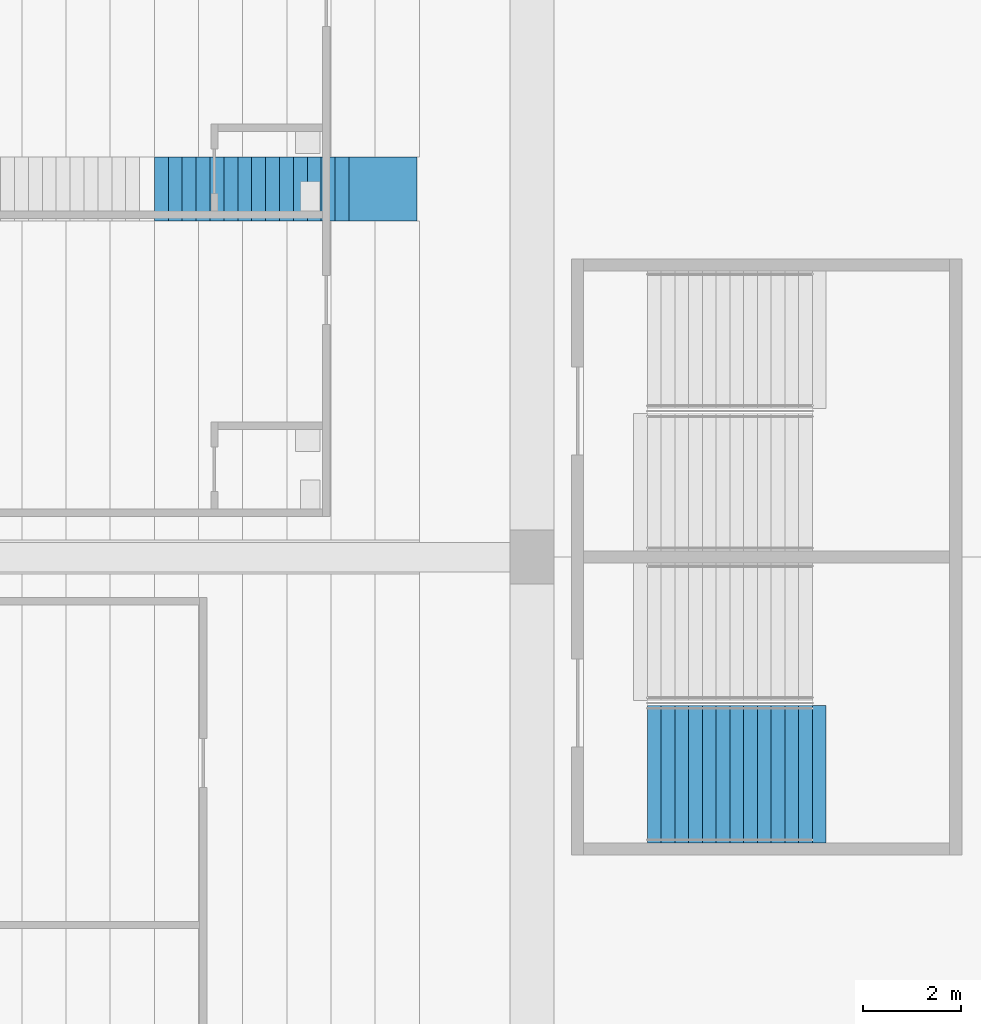
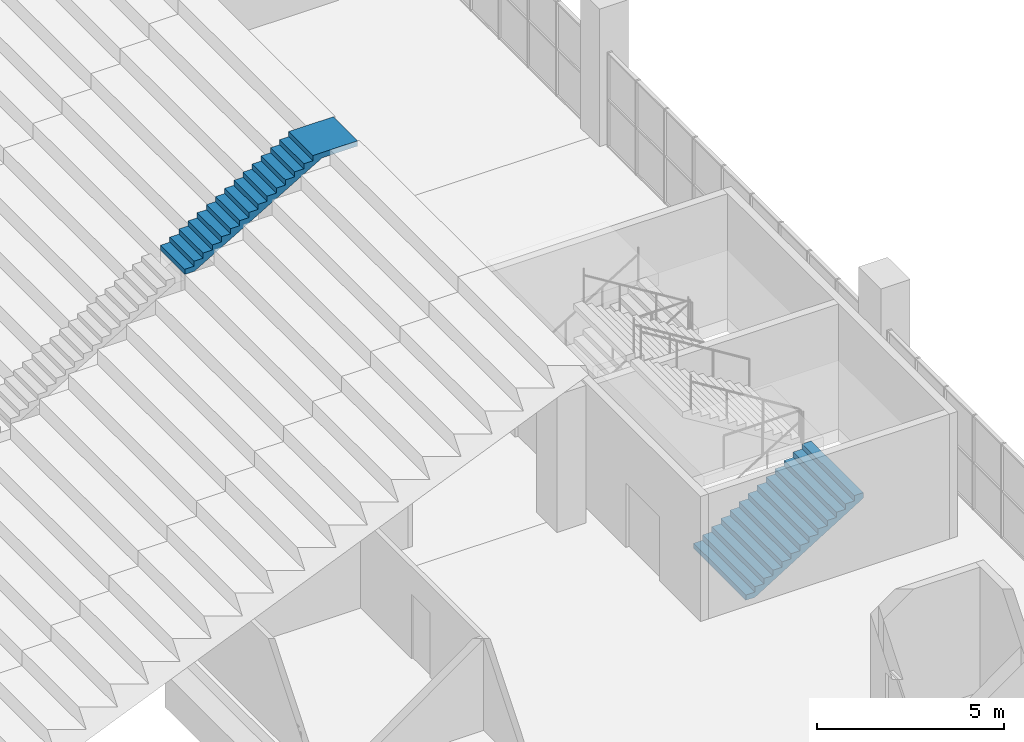
# One storey, part 185 of 249: 2 stair flights, 2 elements without a shape of their own.
"""IFC4 building model written with IfcOpenShell, lengths in metres."""

from ifc_helpers import new_model, si_unit, direction, frame, origin, place, context, subcontext, project, spatial, faceted_brep, material, type_object, element, aggregate, save


model = new_model("IFC4")

# Units and contexts
model_context = context("Model", 3, precision=1e-05, world=origin(), true_north=direction((0.0, 1.0)))
body_context = subcontext(model_context, "Body", "Model", "MODEL_VIEW")
ifc_project = project(units=[si_unit("LENGTHUNIT", "METRE"), si_unit("AREAUNIT", "SQUARE_METRE"), si_unit("VOLUMEUNIT", "CUBIC_METRE"), si_unit("PLANEANGLEUNIT", "RADIAN"), si_unit("MASSUNIT", "GRAM", prefix="KILO")], contexts=[model_context])

# Site, building, storey
site_placement = place(None, origin())
site = spatial("IfcSite", under=ifc_project, at=site_placement, CompositionType="ELEMENT")
building_placement = place(site_placement, origin())
building = spatial("IfcBuilding", under=site, at=building_placement, Name="Ogive Plaza Stadium", CompositionType="ELEMENT")
storey_placement = place(building_placement, frame((0.0, 0.0, 13.5)))
storey = spatial("IfcBuildingStorey", under=building, at=storey_placement, Name="L03", CompositionType="ELEMENT", Elevation=13.5)

# Stair, stair flight
ifc_material_1 = material(Name="Concrete C40/50", Category="concrete")
stair_type_1 = type_object("IfcStairType", Name="Aisle stair", PredefinedType="STRAIGHT_RUN_STAIR", material=ifc_material_1)
stair_1_placement = place(storey_placement, origin())
stair_1 = element("IfcStair", 1, at=stair_1_placement, inside=storey, type_object=stair_type_1, Name="Aisle stair SA03U", PredefinedType="STRAIGHT_RUN_STAIR")
ifc_material_2 = material(Name="Concrete C40/50", Category="concrete")
stair_flight_type_1 = type_object("IfcStairFlightType", Name="Aisle stair flight", PredefinedType="STRAIGHT", material=ifc_material_2)
stair_flight_1_placement = place(storey_placement, frame((66.300048828125, 15.0, 6.5), z_axis=(0.0, 0.0, 1.0), x_axis=(1.0, 0.0, 0.0)))
stair_flight_1 = element("IfcStairFlight", 2, at=stair_flight_1_placement, type_object=stair_flight_type_1, Name="SA03U flight 3", NumberOfRisers=15, NumberOfTreads=14, PredefinedType="STRAIGHT", RiserHeight=0.166666667, TreadLength=0.283333333, context=body_context, shape_type="Brep", body=[
    faceted_brep([(0.295654296875, -0.64990234375, 0.0), (4.25, -0.64990234375, 2.326171875), (5.35009765625, -0.64990234375, 2.326171875), (5.35009765625, -0.64990234375, 2.5), (3.966552734375, -0.64990234375, 2.5), (3.966552734375, -0.64990234375, 2.333251953125), (3.683349609375, -0.64990234375, 2.333251953125), (3.683349609375, -0.64990234375, 2.166748046875), (3.39990234375, -0.64990234375, 2.166748046875), (3.39990234375, -0.64990234375, 2.0), (3.11669921875, -0.64990234375, 2.0), (3.11669921875, -0.64990234375, 1.833251953125), (2.833251953125, -0.64990234375, 1.833251953125), (2.833251953125, -0.64990234375, 1.666748046875), (2.550048828125, -0.64990234375, 1.666748046875), (2.550048828125, -0.64990234375, 1.5), (2.2666015625, -0.64990234375, 1.5), (2.2666015625, -0.64990234375, 1.333251953125), (1.9833984375, -0.64990234375, 1.333251953125), (1.9833984375, -0.64990234375, 1.166748046875), (1.699951171875, -0.64990234375, 1.166748046875), (1.699951171875, -0.64990234375, 1.0), (1.416748046875, -0.64990234375, 1.0), (1.416748046875, -0.64990234375, 0.833251953125), (1.13330078125, -0.64990234375, 0.833251953125), (1.13330078125, -0.64990234375, 0.666748046875), (0.85009765625, -0.64990234375, 0.666748046875), (0.85009765625, -0.64990234375, 0.5), (0.566650390625, -0.64990234375, 0.5), (0.566650390625, -0.64990234375, 0.333251953125), (0.283447265625, -0.64990234375, 0.333251953125), (0.283447265625, -0.64990234375, 0.166748046875), (0.0, -0.64990234375, 0.166748046875), (0.0, -0.64990234375, 0.0), (0.0, 0.64990234375, 0.0), (0.0, 0.64990234375, 0.166748046875), (0.283447265625, 0.64990234375, 0.166748046875), (0.283447265625, 0.64990234375, 0.333251953125), (0.566650390625, 0.64990234375, 0.333251953125), (0.566650390625, 0.64990234375, 0.5), (0.85009765625, 0.64990234375, 0.5), (0.85009765625, 0.64990234375, 0.666748046875), (1.13330078125, 0.64990234375, 0.666748046875), (1.13330078125, 0.64990234375, 0.833251953125), (1.416748046875, 0.64990234375, 0.833251953125), (1.416748046875, 0.64990234375, 1.0), (1.699951171875, 0.64990234375, 1.0), (1.699951171875, 0.64990234375, 1.166748046875), (1.9833984375, 0.64990234375, 1.166748046875), (1.9833984375, 0.64990234375, 1.333251953125), (2.2666015625, 0.64990234375, 1.333251953125), (2.2666015625, 0.64990234375, 1.5), (2.550048828125, 0.64990234375, 1.5), (2.550048828125, 0.64990234375, 1.666748046875), (2.833251953125, 0.64990234375, 1.666748046875), (2.833251953125, 0.64990234375, 1.833251953125), (3.11669921875, 0.64990234375, 1.833251953125), (3.11669921875, 0.64990234375, 2.0), (3.39990234375, 0.64990234375, 2.0), (3.39990234375, 0.64990234375, 2.166748046875), (3.683349609375, 0.64990234375, 2.166748046875), (3.683349609375, 0.64990234375, 2.333251953125), (3.966552734375, 0.64990234375, 2.333251953125), (3.966552734375, 0.64990234375, 2.5), (5.35009765625, 0.64990234375, 2.5), (5.35009765625, 0.64990234375, 2.326171875), (4.25, 0.64990234375, 2.326171875), (0.295654296875, 0.64990234375, 0.0), (0.295654296875, -0.324951171875, 0.0), (4.25, -0.324951171875, 2.326171875), (0.295654296875, 0.0, 0.0), (4.25, 0.0, 2.326171875), (0.295654296875, 0.324951171875, 0.0), (4.25, 0.324951171875, 2.326171875), (5.35009765625, -0.324951171875, 2.326171875), (5.35009765625, 0.0, 2.326171875), (5.35009765625, 0.324951171875, 2.326171875), (5.35009765625, -0.324951171875, 2.5), (5.35009765625, 0.0, 2.5), (5.35009765625, 0.324951171875, 2.5), (3.966552734375, -0.324951171875, 2.5), (3.966552734375, 0.0, 2.5), (3.966552734375, 0.324951171875, 2.5), (3.966552734375, -0.324951171875, 2.333251953125), (3.966552734375, 0.0, 2.333251953125), (3.966552734375, 0.324951171875, 2.333251953125), (3.683349609375, -0.324951171875, 2.333251953125), (3.683349609375, 0.0, 2.333251953125), (3.683349609375, 0.324951171875, 2.333251953125), (3.683349609375, -0.324951171875, 2.166748046875), (3.683349609375, 0.0, 2.166748046875), (3.683349609375, 0.324951171875, 2.166748046875), (3.39990234375, -0.324951171875, 2.166748046875), (3.39990234375, 0.0, 2.166748046875), (3.39990234375, 0.324951171875, 2.166748046875), (3.39990234375, -0.324951171875, 2.0), (3.39990234375, 0.0, 2.0), (3.39990234375, 0.324951171875, 2.0), (3.11669921875, -0.324951171875, 2.0), (3.11669921875, 0.0, 2.0), (3.11669921875, 0.324951171875, 2.0), (3.11669921875, -0.324951171875, 1.833251953125), (3.11669921875, 0.0, 1.833251953125), (3.11669921875, 0.324951171875, 1.833251953125), (2.833251953125, -0.324951171875, 1.833251953125), (2.833251953125, 0.0, 1.833251953125), (2.833251953125, 0.324951171875, 1.833251953125), (2.833251953125, -0.324951171875, 1.666748046875), (2.833251953125, 0.0, 1.666748046875), (2.833251953125, 0.324951171875, 1.666748046875), (2.550048828125, -0.324951171875, 1.666748046875), (2.550048828125, 0.0, 1.666748046875), (2.550048828125, 0.324951171875, 1.666748046875), (2.550048828125, -0.324951171875, 1.5), (2.550048828125, 0.0, 1.5), (2.550048828125, 0.324951171875, 1.5), (2.2666015625, -0.324951171875, 1.5), (2.2666015625, 0.0, 1.5), (2.2666015625, 0.324951171875, 1.5), (2.2666015625, -0.324951171875, 1.333251953125), (2.2666015625, 0.0, 1.333251953125), (2.2666015625, 0.324951171875, 1.333251953125), (1.9833984375, -0.324951171875, 1.333251953125), (1.9833984375, 0.0, 1.333251953125), (1.9833984375, 0.324951171875, 1.333251953125), (1.9833984375, -0.324951171875, 1.166748046875), (1.9833984375, 0.0, 1.166748046875), (1.9833984375, 0.324951171875, 1.166748046875), (1.699951171875, -0.324951171875, 1.166748046875), (1.699951171875, 0.0, 1.166748046875), (1.699951171875, 0.324951171875, 1.166748046875), (1.699951171875, -0.324951171875, 1.0), (1.699951171875, 0.0, 1.0), (1.699951171875, 0.324951171875, 1.0), (1.416748046875, -0.324951171875, 1.0), (1.416748046875, 0.0, 1.0), (1.416748046875, 0.324951171875, 1.0), (1.416748046875, -0.324951171875, 0.833251953125), (1.416748046875, 0.0, 0.833251953125), (1.416748046875, 0.324951171875, 0.833251953125), (1.13330078125, -0.324951171875, 0.833251953125), (1.13330078125, 0.0, 0.833251953125), (1.13330078125, 0.324951171875, 0.833251953125), (1.13330078125, -0.324951171875, 0.666748046875), (1.13330078125, 0.0, 0.666748046875), (1.13330078125, 0.324951171875, 0.666748046875), (0.85009765625, -0.324951171875, 0.666748046875), (0.85009765625, 0.0, 0.666748046875), (0.85009765625, 0.324951171875, 0.666748046875), (0.85009765625, -0.324951171875, 0.5), (0.85009765625, 0.0, 0.5), (0.85009765625, 0.324951171875, 0.5), (0.566650390625, -0.324951171875, 0.5), (0.566650390625, 0.0, 0.5), (0.566650390625, 0.324951171875, 0.5), (0.566650390625, -0.324951171875, 0.333251953125), (0.566650390625, 0.0, 0.333251953125), (0.566650390625, 0.324951171875, 0.333251953125), (0.283447265625, -0.324951171875, 0.333251953125), (0.283447265625, 0.0, 0.333251953125), (0.283447265625, 0.324951171875, 0.333251953125), (0.283447265625, -0.324951171875, 0.166748046875), (0.283447265625, 0.0, 0.166748046875), (0.283447265625, 0.324951171875, 0.166748046875), (0.0, -0.324951171875, 0.166748046875), (0.0, 0.0, 0.166748046875), (0.0, 0.324951171875, 0.166748046875), (0.0, -0.324951171875, 0.0), (0.0, 0.0, 0.0), (0.0, 0.324951171875, 0.0)], [[[0, 1, 2, 3, 4, 5, 6, 7, 8, 9, 10, 11, 12, 13, 14, 15, 16, 17, 18, 19, 20, 21, 22, 23, 24, 25, 26, 27, 28, 29, 30, 31, 32, 33]], [[34, 35, 36, 37, 38, 39, 40, 41, 42, 43, 44, 45, 46, 47, 48, 49, 50, 51, 52, 53, 54, 55, 56, 57, 58, 59, 60, 61, 62, 63, 64, 65, 66, 67]], [[0, 68, 69, 1]], [[68, 70, 71, 69]], [[70, 72, 73, 71]], [[72, 67, 66, 73]], [[1, 69, 74, 2]], [[69, 71, 75, 74]], [[71, 73, 76, 75]], [[73, 66, 65, 76]], [[2, 74, 77, 3]], [[74, 75, 78, 77]], [[75, 76, 79, 78]], [[76, 65, 64, 79]], [[3, 77, 80, 4]], [[77, 78, 81, 80]], [[78, 79, 82, 81]], [[79, 64, 63, 82]], [[4, 80, 83, 5]], [[80, 81, 84, 83]], [[81, 82, 85, 84]], [[82, 63, 62, 85]], [[5, 83, 86, 6]], [[83, 84, 87, 86]], [[84, 85, 88, 87]], [[85, 62, 61, 88]], [[6, 86, 89, 7]], [[86, 87, 90, 89]], [[87, 88, 91, 90]], [[88, 61, 60, 91]], [[7, 89, 92, 8]], [[89, 90, 93, 92]], [[90, 91, 94, 93]], [[91, 60, 59, 94]], [[8, 92, 95, 9]], [[92, 93, 96, 95]], [[93, 94, 97, 96]], [[94, 59, 58, 97]], [[9, 95, 98, 10]], [[95, 96, 99, 98]], [[96, 97, 100, 99]], [[97, 58, 57, 100]], [[10, 98, 101, 11]], [[98, 99, 102, 101]], [[99, 100, 103, 102]], [[100, 57, 56, 103]], [[11, 101, 104, 12]], [[101, 102, 105, 104]], [[102, 103, 106, 105]], [[103, 56, 55, 106]], [[12, 104, 107, 13]], [[104, 105, 108, 107]], [[105, 106, 109, 108]], [[106, 55, 54, 109]], [[13, 107, 110, 14]], [[107, 108, 111, 110]], [[108, 109, 112, 111]], [[109, 54, 53, 112]], [[14, 110, 113, 15]], [[110, 111, 114, 113]], [[111, 112, 115, 114]], [[112, 53, 52, 115]], [[15, 113, 116, 16]], [[113, 114, 117, 116]], [[114, 115, 118, 117]], [[115, 52, 51, 118]], [[16, 116, 119, 17]], [[116, 117, 120, 119]], [[117, 118, 121, 120]], [[118, 51, 50, 121]], [[17, 119, 122, 18]], [[119, 120, 123, 122]], [[120, 121, 124, 123]], [[121, 50, 49, 124]], [[18, 122, 125, 19]], [[122, 123, 126, 125]], [[123, 124, 127, 126]], [[124, 49, 48, 127]], [[19, 125, 128, 20]], [[125, 126, 129, 128]], [[126, 127, 130, 129]], [[127, 48, 47, 130]], [[20, 128, 131, 21]], [[128, 129, 132, 131]], [[129, 130, 133, 132]], [[130, 47, 46, 133]], [[21, 131, 134, 22]], [[131, 132, 135, 134]], [[132, 133, 136, 135]], [[133, 46, 45, 136]], [[22, 134, 137, 23]], [[134, 135, 138, 137]], [[135, 136, 139, 138]], [[136, 45, 44, 139]], [[23, 137, 140, 24]], [[137, 138, 141, 140]], [[138, 139, 142, 141]], [[139, 44, 43, 142]], [[24, 140, 143, 25]], [[140, 141, 144, 143]], [[141, 142, 145, 144]], [[142, 43, 42, 145]], [[25, 143, 146, 26]], [[143, 144, 147, 146]], [[144, 145, 148, 147]], [[145, 42, 41, 148]], [[26, 146, 149, 27]], [[146, 147, 150, 149]], [[147, 148, 151, 150]], [[148, 41, 40, 151]], [[27, 149, 152, 28]], [[149, 150, 153, 152]], [[150, 151, 154, 153]], [[151, 40, 39, 154]], [[28, 152, 155, 29]], [[152, 153, 156, 155]], [[153, 154, 157, 156]], [[154, 39, 38, 157]], [[29, 155, 158, 30]], [[155, 156, 159, 158]], [[156, 157, 160, 159]], [[157, 38, 37, 160]], [[30, 158, 161, 31]], [[158, 159, 162, 161]], [[159, 160, 163, 162]], [[160, 37, 36, 163]], [[31, 161, 164, 32]], [[161, 162, 165, 164]], [[162, 163, 166, 165]], [[163, 36, 35, 166]], [[32, 164, 167, 33]], [[164, 165, 168, 167]], [[165, 166, 169, 168]], [[166, 35, 34, 169]], [[33, 167, 68, 0]], [[167, 168, 70, 68]], [[168, 169, 72, 70]], [[169, 34, 67, 72]]]),
])
aggregate(stair_1, [stair_flight_1])

ifc_material_3 = material(Name="Concrete C40/50", Category="concrete")
stair_type_2 = type_object("IfcStairType", Name="Exit stair", PredefinedType="STRAIGHT_RUN_STAIR", material=ifc_material_3)
stair_2_placement = place(storey_placement, origin())
stair_2 = element("IfcStair", 3, at=stair_2_placement, inside=storey, type_object=stair_type_2, Name="Exit stair ST04A L03 to L04", PredefinedType="STRAIGHT_RUN_STAIR")
ifc_material_4 = material(Name="Concrete C40/50", Category="concrete")
stair_flight_type_2 = type_object("IfcStairFlightType", Name="Exit stair flight", PredefinedType="STRAIGHT", material=ifc_material_4)
stair_flight_2_placement = place(storey_placement, frame((76.35009765625, 3.074951171875, 0.0), z_axis=(0.0, 0.0, 1.0), x_axis=(1.0, 0.0, 0.0)))
stair_flight_2 = element("IfcStairFlight", 4, at=stair_flight_2_placement, type_object=stair_flight_type_2, Name="ST04A flight 1", NumberOfRisers=13, NumberOfTreads=12, PredefinedType="STRAIGHT", RiserHeight=0.173076923, TreadLength=0.28, context=body_context, shape_type="Brep", body=[
    faceted_brep([(0.28515625, -1.39990234375, 0.0), (3.639892578125, -1.39990234375, 2.07373046875), (3.639892578125, -1.39990234375, 2.25), (3.360107421875, -1.39990234375, 2.25), (3.360107421875, -1.39990234375, 2.076904296875), (3.080078125, -1.39990234375, 2.076904296875), (3.080078125, -1.39990234375, 1.90380859375), (2.800048828125, -1.39990234375, 1.90380859375), (2.800048828125, -1.39990234375, 1.730712890625), (2.52001953125, -1.39990234375, 1.730712890625), (2.52001953125, -1.39990234375, 1.5576171875), (2.239990234375, -1.39990234375, 1.5576171875), (2.239990234375, -1.39990234375, 1.384521484375), (1.9599609375, -1.39990234375, 1.384521484375), (1.9599609375, -1.39990234375, 1.21142578125), (1.679931640625, -1.39990234375, 1.21142578125), (1.679931640625, -1.39990234375, 1.03857421875), (1.39990234375, -1.39990234375, 1.03857421875), (1.39990234375, -1.39990234375, 0.865478515625), (1.1201171875, -1.39990234375, 0.865478515625), (1.1201171875, -1.39990234375, 0.6923828125), (0.840087890625, -1.39990234375, 0.6923828125), (0.840087890625, -1.39990234375, 0.519287109375), (0.56005859375, -1.39990234375, 0.519287109375), (0.56005859375, -1.39990234375, 0.34619140625), (0.280029296875, -1.39990234375, 0.34619140625), (0.280029296875, -1.39990234375, 0.173095703125), (0.0, -1.39990234375, 0.173095703125), (0.0, -1.39990234375, 0.0), (0.0, 1.39990234375, 0.0), (0.0, 1.39990234375, 0.173095703125), (0.280029296875, 1.39990234375, 0.173095703125), (0.280029296875, 1.39990234375, 0.34619140625), (0.56005859375, 1.39990234375, 0.34619140625), (0.56005859375, 1.39990234375, 0.519287109375), (0.840087890625, 1.39990234375, 0.519287109375), (0.840087890625, 1.39990234375, 0.6923828125), (1.1201171875, 1.39990234375, 0.6923828125), (1.1201171875, 1.39990234375, 0.865478515625), (1.39990234375, 1.39990234375, 0.865478515625), (1.39990234375, 1.39990234375, 1.03857421875), (1.679931640625, 1.39990234375, 1.03857421875), (1.679931640625, 1.39990234375, 1.21142578125), (1.9599609375, 1.39990234375, 1.21142578125), (1.9599609375, 1.39990234375, 1.384521484375), (2.239990234375, 1.39990234375, 1.384521484375), (2.239990234375, 1.39990234375, 1.5576171875), (2.52001953125, 1.39990234375, 1.5576171875), (2.52001953125, 1.39990234375, 1.730712890625), (2.800048828125, 1.39990234375, 1.730712890625), (2.800048828125, 1.39990234375, 1.90380859375), (3.080078125, 1.39990234375, 1.90380859375), (3.080078125, 1.39990234375, 2.076904296875), (3.360107421875, 1.39990234375, 2.076904296875), (3.360107421875, 1.39990234375, 2.25), (3.639892578125, 1.39990234375, 2.25), (3.639892578125, 1.39990234375, 2.07373046875), (0.28515625, 1.39990234375, 0.0), (0.28515625, -1.0888671875, 0.0), (3.639892578125, -1.0888671875, 2.07373046875), (0.28515625, -0.77783203125, 0.0), (3.639892578125, -0.77783203125, 2.07373046875), (0.28515625, -0.466796875, 0.0), (3.639892578125, -0.466796875, 2.07373046875), (0.28515625, -0.155517578125, 0.0), (3.639892578125, -0.155517578125, 2.07373046875), (0.28515625, 0.155517578125, 0.0), (3.639892578125, 0.155517578125, 2.07373046875), (0.28515625, 0.466796875, 0.0), (3.639892578125, 0.466796875, 2.07373046875), (0.28515625, 0.77783203125, 0.0), (3.639892578125, 0.77783203125, 2.07373046875), (0.28515625, 1.0888671875, 0.0), (3.639892578125, 1.0888671875, 2.07373046875), (3.639892578125, -1.0888671875, 2.25), (3.639892578125, -0.77783203125, 2.25), (3.639892578125, -0.466796875, 2.25), (3.639892578125, -0.155517578125, 2.25), (3.639892578125, 0.155517578125, 2.25), (3.639892578125, 0.466796875, 2.25), (3.639892578125, 0.77783203125, 2.25), (3.639892578125, 1.0888671875, 2.25), (3.360107421875, -1.0888671875, 2.25), (3.360107421875, -0.77783203125, 2.25), (3.360107421875, -0.466796875, 2.25), (3.360107421875, -0.155517578125, 2.25), (3.360107421875, 0.155517578125, 2.25), (3.360107421875, 0.466796875, 2.25), (3.360107421875, 0.77783203125, 2.25), (3.360107421875, 1.0888671875, 2.25), (3.360107421875, -1.0888671875, 2.076904296875), (3.360107421875, -0.77783203125, 2.076904296875), (3.360107421875, -0.466796875, 2.076904296875), (3.360107421875, -0.155517578125, 2.076904296875), (3.360107421875, 0.155517578125, 2.076904296875), (3.360107421875, 0.466796875, 2.076904296875), (3.360107421875, 0.77783203125, 2.076904296875), (3.360107421875, 1.0888671875, 2.076904296875), (3.080078125, -1.0888671875, 2.076904296875), (3.080078125, -0.77783203125, 2.076904296875), (3.080078125, -0.466796875, 2.076904296875), (3.080078125, -0.155517578125, 2.076904296875), (3.080078125, 0.155517578125, 2.076904296875), (3.080078125, 0.466796875, 2.076904296875), (3.080078125, 0.77783203125, 2.076904296875), (3.080078125, 1.0888671875, 2.076904296875), (3.080078125, -1.0888671875, 1.90380859375), (3.080078125, -0.77783203125, 1.90380859375), (3.080078125, -0.466796875, 1.90380859375), (3.080078125, -0.155517578125, 1.90380859375), (3.080078125, 0.155517578125, 1.90380859375), (3.080078125, 0.466796875, 1.90380859375), (3.080078125, 0.77783203125, 1.90380859375), (3.080078125, 1.0888671875, 1.90380859375), (2.800048828125, -1.0888671875, 1.90380859375), (2.800048828125, -0.77783203125, 1.90380859375), (2.800048828125, -0.466796875, 1.90380859375), (2.800048828125, -0.155517578125, 1.90380859375), (2.800048828125, 0.155517578125, 1.90380859375), (2.800048828125, 0.466796875, 1.90380859375), (2.800048828125, 0.77783203125, 1.90380859375), (2.800048828125, 1.0888671875, 1.90380859375), (2.800048828125, -1.0888671875, 1.730712890625), (2.800048828125, -0.77783203125, 1.730712890625), (2.800048828125, -0.466796875, 1.730712890625), (2.800048828125, -0.155517578125, 1.730712890625), (2.800048828125, 0.155517578125, 1.730712890625), (2.800048828125, 0.466796875, 1.730712890625), (2.800048828125, 0.77783203125, 1.730712890625), (2.800048828125, 1.0888671875, 1.730712890625), (2.52001953125, -1.0888671875, 1.730712890625), (2.52001953125, -0.77783203125, 1.730712890625), (2.52001953125, -0.466796875, 1.730712890625), (2.52001953125, -0.155517578125, 1.730712890625), (2.52001953125, 0.155517578125, 1.730712890625), (2.52001953125, 0.466796875, 1.730712890625), (2.52001953125, 0.77783203125, 1.730712890625), (2.52001953125, 1.0888671875, 1.730712890625), (2.52001953125, -1.0888671875, 1.5576171875), (2.52001953125, -0.77783203125, 1.5576171875), (2.52001953125, -0.466796875, 1.5576171875), (2.52001953125, -0.155517578125, 1.5576171875), (2.52001953125, 0.155517578125, 1.5576171875), (2.52001953125, 0.466796875, 1.5576171875), (2.52001953125, 0.77783203125, 1.5576171875), (2.52001953125, 1.0888671875, 1.5576171875), (2.239990234375, -1.0888671875, 1.5576171875), (2.239990234375, -0.77783203125, 1.5576171875), (2.239990234375, -0.466796875, 1.5576171875), (2.239990234375, -0.155517578125, 1.5576171875), (2.239990234375, 0.155517578125, 1.5576171875), (2.239990234375, 0.466796875, 1.5576171875), (2.239990234375, 0.77783203125, 1.5576171875), (2.239990234375, 1.0888671875, 1.5576171875), (2.239990234375, -1.0888671875, 1.384521484375), (2.239990234375, -0.77783203125, 1.384521484375), (2.239990234375, -0.466796875, 1.384521484375), (2.239990234375, -0.155517578125, 1.384521484375), (2.239990234375, 0.155517578125, 1.384521484375), (2.239990234375, 0.466796875, 1.384521484375), (2.239990234375, 0.77783203125, 1.384521484375), (2.239990234375, 1.0888671875, 1.384521484375), (1.9599609375, -1.0888671875, 1.384521484375), (1.9599609375, -0.77783203125, 1.384521484375), (1.9599609375, -0.466796875, 1.384521484375), (1.9599609375, -0.155517578125, 1.384521484375), (1.9599609375, 0.155517578125, 1.384521484375), (1.9599609375, 0.466796875, 1.384521484375), (1.9599609375, 0.77783203125, 1.384521484375), (1.9599609375, 1.0888671875, 1.384521484375), (1.9599609375, -1.0888671875, 1.21142578125), (1.9599609375, -0.77783203125, 1.21142578125), (1.9599609375, -0.466796875, 1.21142578125), (1.9599609375, -0.155517578125, 1.21142578125), (1.9599609375, 0.155517578125, 1.21142578125), (1.9599609375, 0.466796875, 1.21142578125), (1.9599609375, 0.77783203125, 1.21142578125), (1.9599609375, 1.0888671875, 1.21142578125), (1.679931640625, -1.0888671875, 1.21142578125), (1.679931640625, -0.77783203125, 1.21142578125), (1.679931640625, -0.466796875, 1.21142578125), (1.679931640625, -0.155517578125, 1.21142578125), (1.679931640625, 0.155517578125, 1.21142578125), (1.679931640625, 0.466796875, 1.21142578125), (1.679931640625, 0.77783203125, 1.21142578125), (1.679931640625, 1.0888671875, 1.21142578125), (1.679931640625, -1.0888671875, 1.03857421875), (1.679931640625, -0.77783203125, 1.03857421875), (1.679931640625, -0.466796875, 1.03857421875), (1.679931640625, -0.155517578125, 1.03857421875), (1.679931640625, 0.155517578125, 1.03857421875), (1.679931640625, 0.466796875, 1.03857421875), (1.679931640625, 0.77783203125, 1.03857421875), (1.679931640625, 1.0888671875, 1.03857421875), (1.39990234375, -1.0888671875, 1.03857421875), (1.39990234375, -0.77783203125, 1.03857421875), (1.39990234375, -0.466796875, 1.03857421875), (1.39990234375, -0.155517578125, 1.03857421875), (1.39990234375, 0.155517578125, 1.03857421875), (1.39990234375, 0.466796875, 1.03857421875), (1.39990234375, 0.77783203125, 1.03857421875), (1.39990234375, 1.0888671875, 1.03857421875), (1.39990234375, -1.0888671875, 0.865478515625), (1.39990234375, -0.77783203125, 0.865478515625), (1.39990234375, -0.466796875, 0.865478515625), (1.39990234375, -0.155517578125, 0.865478515625), (1.39990234375, 0.155517578125, 0.865478515625), (1.39990234375, 0.466796875, 0.865478515625), (1.39990234375, 0.77783203125, 0.865478515625), (1.39990234375, 1.0888671875, 0.865478515625), (1.1201171875, -1.0888671875, 0.865478515625), (1.1201171875, -0.77783203125, 0.865478515625), (1.1201171875, -0.466796875, 0.865478515625), (1.1201171875, -0.155517578125, 0.865478515625), (1.1201171875, 0.155517578125, 0.865478515625), (1.1201171875, 0.466796875, 0.865478515625), (1.1201171875, 0.77783203125, 0.865478515625), (1.1201171875, 1.0888671875, 0.865478515625), (1.1201171875, -1.0888671875, 0.6923828125), (1.1201171875, -0.77783203125, 0.6923828125), (1.1201171875, -0.466796875, 0.6923828125), (1.1201171875, -0.155517578125, 0.6923828125), (1.1201171875, 0.155517578125, 0.6923828125), (1.1201171875, 0.466796875, 0.6923828125), (1.1201171875, 0.77783203125, 0.6923828125), (1.1201171875, 1.0888671875, 0.6923828125), (0.840087890625, -1.0888671875, 0.6923828125), (0.840087890625, -0.77783203125, 0.6923828125), (0.840087890625, -0.466796875, 0.6923828125), (0.840087890625, -0.155517578125, 0.6923828125), (0.840087890625, 0.155517578125, 0.6923828125), (0.840087890625, 0.466796875, 0.6923828125), (0.840087890625, 0.77783203125, 0.6923828125), (0.840087890625, 1.0888671875, 0.6923828125), (0.840087890625, -1.0888671875, 0.519287109375), (0.840087890625, -0.77783203125, 0.519287109375), (0.840087890625, -0.466796875, 0.519287109375), (0.840087890625, -0.155517578125, 0.519287109375), (0.840087890625, 0.155517578125, 0.519287109375), (0.840087890625, 0.466796875, 0.519287109375), (0.840087890625, 0.77783203125, 0.519287109375), (0.840087890625, 1.0888671875, 0.519287109375), (0.56005859375, -1.0888671875, 0.519287109375), (0.56005859375, -0.77783203125, 0.519287109375), (0.56005859375, -0.466796875, 0.519287109375), (0.56005859375, -0.155517578125, 0.519287109375), (0.56005859375, 0.155517578125, 0.519287109375), (0.56005859375, 0.466796875, 0.519287109375), (0.56005859375, 0.77783203125, 0.519287109375), (0.56005859375, 1.0888671875, 0.519287109375), (0.56005859375, -1.0888671875, 0.34619140625), (0.56005859375, -0.77783203125, 0.34619140625), (0.56005859375, -0.466796875, 0.34619140625), (0.56005859375, -0.155517578125, 0.34619140625), (0.56005859375, 0.155517578125, 0.34619140625), (0.56005859375, 0.466796875, 0.34619140625), (0.56005859375, 0.77783203125, 0.34619140625), (0.56005859375, 1.0888671875, 0.34619140625), (0.280029296875, -1.0888671875, 0.34619140625), (0.280029296875, -0.77783203125, 0.34619140625), (0.280029296875, -0.466796875, 0.34619140625), (0.280029296875, -0.155517578125, 0.34619140625), (0.280029296875, 0.155517578125, 0.34619140625), (0.280029296875, 0.466796875, 0.34619140625), (0.280029296875, 0.77783203125, 0.34619140625), (0.280029296875, 1.0888671875, 0.34619140625), (0.280029296875, -1.0888671875, 0.173095703125), (0.280029296875, -0.77783203125, 0.173095703125), (0.280029296875, -0.466796875, 0.173095703125), (0.280029296875, -0.155517578125, 0.173095703125), (0.280029296875, 0.155517578125, 0.173095703125), (0.280029296875, 0.466796875, 0.173095703125), (0.280029296875, 0.77783203125, 0.173095703125), (0.280029296875, 1.0888671875, 0.173095703125), (0.0, -1.0888671875, 0.173095703125), (0.0, -0.77783203125, 0.173095703125), (0.0, -0.466796875, 0.173095703125), (0.0, -0.155517578125, 0.173095703125), (0.0, 0.155517578125, 0.173095703125), (0.0, 0.466796875, 0.173095703125), (0.0, 0.77783203125, 0.173095703125), (0.0, 1.0888671875, 0.173095703125), (0.0, -1.0888671875, 0.0), (0.0, -0.77783203125, 0.0), (0.0, -0.466796875, 0.0), (0.0, -0.155517578125, 0.0), (0.0, 0.155517578125, 0.0), (0.0, 0.466796875, 0.0), (0.0, 0.77783203125, 0.0), (0.0, 1.0888671875, 0.0)], [[[0, 1, 2, 3, 4, 5, 6, 7, 8, 9, 10, 11, 12, 13, 14, 15, 16, 17, 18, 19, 20, 21, 22, 23, 24, 25, 26, 27, 28]], [[29, 30, 31, 32, 33, 34, 35, 36, 37, 38, 39, 40, 41, 42, 43, 44, 45, 46, 47, 48, 49, 50, 51, 52, 53, 54, 55, 56, 57]], [[0, 58, 59, 1]], [[58, 60, 61, 59]], [[60, 62, 63, 61]], [[62, 64, 65, 63]], [[64, 66, 67, 65]], [[66, 68, 69, 67]], [[68, 70, 71, 69]], [[70, 72, 73, 71]], [[72, 57, 56, 73]], [[1, 59, 74, 2]], [[59, 61, 75, 74]], [[61, 63, 76, 75]], [[63, 65, 77, 76]], [[65, 67, 78, 77]], [[67, 69, 79, 78]], [[69, 71, 80, 79]], [[71, 73, 81, 80]], [[73, 56, 55, 81]], [[2, 74, 82, 3]], [[74, 75, 83, 82]], [[75, 76, 84, 83]], [[76, 77, 85, 84]], [[77, 78, 86, 85]], [[78, 79, 87, 86]], [[79, 80, 88, 87]], [[80, 81, 89, 88]], [[81, 55, 54, 89]], [[3, 82, 90, 4]], [[82, 83, 91, 90]], [[83, 84, 92, 91]], [[84, 85, 93, 92]], [[85, 86, 94, 93]], [[86, 87, 95, 94]], [[87, 88, 96, 95]], [[88, 89, 97, 96]], [[89, 54, 53, 97]], [[4, 90, 98, 5]], [[90, 91, 99, 98]], [[91, 92, 100, 99]], [[92, 93, 101, 100]], [[93, 94, 102, 101]], [[94, 95, 103, 102]], [[95, 96, 104, 103]], [[96, 97, 105, 104]], [[97, 53, 52, 105]], [[5, 98, 106, 6]], [[98, 99, 107, 106]], [[99, 100, 108, 107]], [[100, 101, 109, 108]], [[101, 102, 110, 109]], [[102, 103, 111, 110]], [[103, 104, 112, 111]], [[104, 105, 113, 112]], [[105, 52, 51, 113]], [[6, 106, 114, 7]], [[106, 107, 115, 114]], [[107, 108, 116, 115]], [[108, 109, 117, 116]], [[109, 110, 118, 117]], [[110, 111, 119, 118]], [[111, 112, 120, 119]], [[112, 113, 121, 120]], [[113, 51, 50, 121]], [[7, 114, 122, 8]], [[114, 115, 123, 122]], [[115, 116, 124, 123]], [[116, 117, 125, 124]], [[117, 118, 126, 125]], [[118, 119, 127, 126]], [[119, 120, 128, 127]], [[120, 121, 129, 128]], [[121, 50, 49, 129]], [[8, 122, 130, 9]], [[122, 123, 131, 130]], [[123, 124, 132, 131]], [[124, 125, 133, 132]], [[125, 126, 134, 133]], [[126, 127, 135, 134]], [[127, 128, 136, 135]], [[128, 129, 137, 136]], [[129, 49, 48, 137]], [[9, 130, 138, 10]], [[130, 131, 139, 138]], [[131, 132, 140, 139]], [[132, 133, 141, 140]], [[133, 134, 142, 141]], [[134, 135, 143, 142]], [[135, 136, 144, 143]], [[136, 137, 145, 144]], [[137, 48, 47, 145]], [[10, 138, 146, 11]], [[138, 139, 147, 146]], [[139, 140, 148, 147]], [[140, 141, 149, 148]], [[141, 142, 150, 149]], [[142, 143, 151, 150]], [[143, 144, 152, 151]], [[144, 145, 153, 152]], [[145, 47, 46, 153]], [[11, 146, 154, 12]], [[146, 147, 155, 154]], [[147, 148, 156, 155]], [[148, 149, 157, 156]], [[149, 150, 158, 157]], [[150, 151, 159, 158]], [[151, 152, 160, 159]], [[152, 153, 161, 160]], [[153, 46, 45, 161]], [[12, 154, 162, 13]], [[154, 155, 163, 162]], [[155, 156, 164, 163]], [[156, 157, 165, 164]], [[157, 158, 166, 165]], [[158, 159, 167, 166]], [[159, 160, 168, 167]], [[160, 161, 169, 168]], [[161, 45, 44, 169]], [[13, 162, 170, 14]], [[162, 163, 171, 170]], [[163, 164, 172, 171]], [[164, 165, 173, 172]], [[165, 166, 174, 173]], [[166, 167, 175, 174]], [[167, 168, 176, 175]], [[168, 169, 177, 176]], [[169, 44, 43, 177]], [[14, 170, 178, 15]], [[170, 171, 179, 178]], [[171, 172, 180, 179]], [[172, 173, 181, 180]], [[173, 174, 182, 181]], [[174, 175, 183, 182]], [[175, 176, 184, 183]], [[176, 177, 185, 184]], [[177, 43, 42, 185]], [[15, 178, 186, 16]], [[178, 179, 187, 186]], [[179, 180, 188, 187]], [[180, 181, 189, 188]], [[181, 182, 190, 189]], [[182, 183, 191, 190]], [[183, 184, 192, 191]], [[184, 185, 193, 192]], [[185, 42, 41, 193]], [[16, 186, 194, 17]], [[186, 187, 195, 194]], [[187, 188, 196, 195]], [[188, 189, 197, 196]], [[189, 190, 198, 197]], [[190, 191, 199, 198]], [[191, 192, 200, 199]], [[192, 193, 201, 200]], [[193, 41, 40, 201]], [[17, 194, 202, 18]], [[194, 195, 203, 202]], [[195, 196, 204, 203]], [[196, 197, 205, 204]], [[197, 198, 206, 205]], [[198, 199, 207, 206]], [[199, 200, 208, 207]], [[200, 201, 209, 208]], [[201, 40, 39, 209]], [[18, 202, 210, 19]], [[202, 203, 211, 210]], [[203, 204, 212, 211]], [[204, 205, 213, 212]], [[205, 206, 214, 213]], [[206, 207, 215, 214]], [[207, 208, 216, 215]], [[208, 209, 217, 216]], [[209, 39, 38, 217]], [[19, 210, 218, 20]], [[210, 211, 219, 218]], [[211, 212, 220, 219]], [[212, 213, 221, 220]], [[213, 214, 222, 221]], [[214, 215, 223, 222]], [[215, 216, 224, 223]], [[216, 217, 225, 224]], [[217, 38, 37, 225]], [[20, 218, 226, 21]], [[218, 219, 227, 226]], [[219, 220, 228, 227]], [[220, 221, 229, 228]], [[221, 222, 230, 229]], [[222, 223, 231, 230]], [[223, 224, 232, 231]], [[224, 225, 233, 232]], [[225, 37, 36, 233]], [[21, 226, 234, 22]], [[226, 227, 235, 234]], [[227, 228, 236, 235]], [[228, 229, 237, 236]], [[229, 230, 238, 237]], [[230, 231, 239, 238]], [[231, 232, 240, 239]], [[232, 233, 241, 240]], [[233, 36, 35, 241]], [[22, 234, 242, 23]], [[234, 235, 243, 242]], [[235, 236, 244, 243]], [[236, 237, 245, 244]], [[237, 238, 246, 245]], [[238, 239, 247, 246]], [[239, 240, 248, 247]], [[240, 241, 249, 248]], [[241, 35, 34, 249]], [[23, 242, 250, 24]], [[242, 243, 251, 250]], [[243, 244, 252, 251]], [[244, 245, 253, 252]], [[245, 246, 254, 253]], [[246, 247, 255, 254]], [[247, 248, 256, 255]], [[248, 249, 257, 256]], [[249, 34, 33, 257]], [[24, 250, 258, 25]], [[250, 251, 259, 258]], [[251, 252, 260, 259]], [[252, 253, 261, 260]], [[253, 254, 262, 261]], [[254, 255, 263, 262]], [[255, 256, 264, 263]], [[256, 257, 265, 264]], [[257, 33, 32, 265]], [[25, 258, 266, 26]], [[258, 259, 267, 266]], [[259, 260, 268, 267]], [[260, 261, 269, 268]], [[261, 262, 270, 269]], [[262, 263, 271, 270]], [[263, 264, 272, 271]], [[264, 265, 273, 272]], [[265, 32, 31, 273]], [[26, 266, 274, 27]], [[266, 267, 275, 274]], [[267, 268, 276, 275]], [[268, 269, 277, 276]], [[269, 270, 278, 277]], [[270, 271, 279, 278]], [[271, 272, 280, 279]], [[272, 273, 281, 280]], [[273, 31, 30, 281]], [[27, 274, 282, 28]], [[274, 275, 283, 282]], [[275, 276, 284, 283]], [[276, 277, 285, 284]], [[277, 278, 286, 285]], [[278, 279, 287, 286]], [[279, 280, 288, 287]], [[280, 281, 289, 288]], [[281, 30, 29, 289]], [[28, 282, 58, 0]], [[282, 283, 60, 58]], [[283, 284, 62, 60]], [[284, 285, 64, 62]], [[285, 286, 66, 64]], [[286, 287, 68, 66]], [[287, 288, 70, 68]], [[288, 289, 72, 70]], [[289, 29, 57, 72]]]),
])
aggregate(stair_2, [stair_flight_2])

save(model, "model.ifc")
